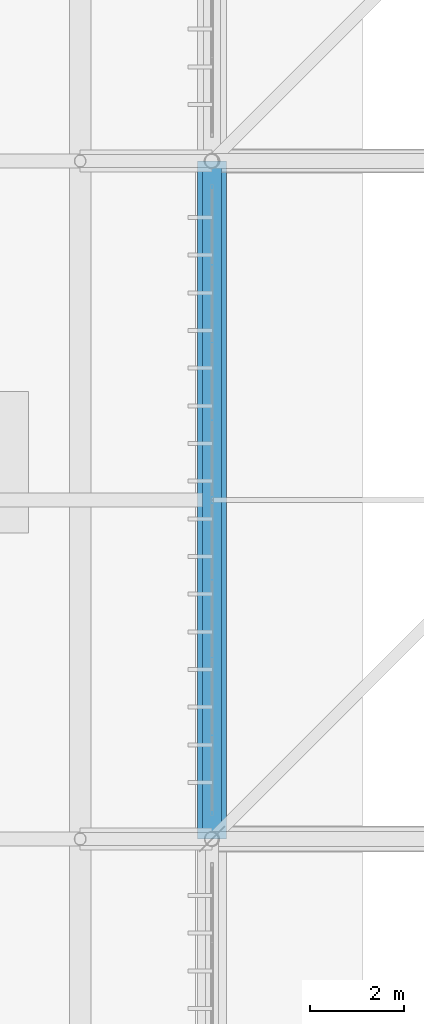
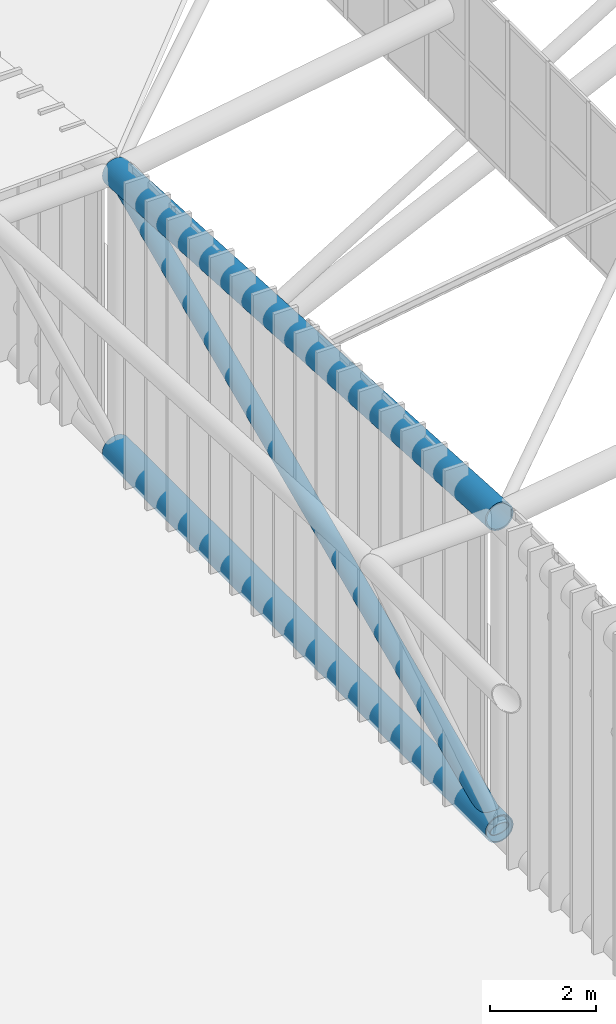
# One storey, part 178 of 397: 2 beams, 1 member.
"""IFC4 building model written with IfcOpenShell, lengths in metres."""

from ifc_helpers import new_model, si_unit, direction, frame, origin, origin_2d, place, context, subcontext, project, spatial, hollow_circle, extrude, material, material_profile, profile_set, type_object, element, save


model = new_model("IFC4")

# Units and contexts
model_context = context("Model", 3, precision=1e-05, world=origin(), true_north=direction((0.0, 1.0)))
body_context = subcontext(model_context, "Body", "Model", "MODEL_VIEW")
ifc_project = project(units=[si_unit("LENGTHUNIT", "METRE"), si_unit("AREAUNIT", "SQUARE_METRE"), si_unit("VOLUMEUNIT", "CUBIC_METRE"), si_unit("PLANEANGLEUNIT", "RADIAN"), si_unit("MASSUNIT", "GRAM", prefix="KILO")], contexts=[model_context])

# Site, building, storey
site_placement = place(None, origin())
site = spatial("IfcSite", under=ifc_project, at=site_placement, CompositionType="ELEMENT")
building_placement = place(site_placement, origin())
building = spatial("IfcBuilding", under=site, at=building_placement, Name="Qandorah Velis Arena", CompositionType="ELEMENT")
storey_placement = place(building_placement, frame((0.0, 0.0, 27.5)))
storey = spatial("IfcBuildingStorey", under=building, at=storey_placement, Name="RF", CompositionType="ELEMENT", Elevation=27.5)

# Beams
ifc_material_1 = material(Name="Steel S460", Category="steel")
ifc_material_profile_1 = material_profile(ifc_material_1, hollow_circle(Radius=0.304931640625, WallThickness=0.02490234375, at=origin_2d()), Name="CHS 610x25")
ifc_profile_set_1 = profile_set([ifc_material_profile_1], Name="Steel S460")
beam_type_1 = type_object("IfcBeamType", Name="STR-SFC-CHS610X25", PredefinedType="USERDEFINED", material=ifc_profile_set_1)
beam_1_placement = place(storey_placement, frame((14.39990234375, 72.0, 0.10009765625), z_axis=(0.0, 1.0, 0.0), x_axis=(-1.0, 0.0, 0.0)))
element("IfcBeam", 1, at=beam_1_placement, inside=storey, type_object=beam_type_1, Name="Space frame roof truss bottom chord Y 0.4", ObjectType="ROOF TRUSS", PredefinedType="USERDEFINED", context=body_context, shape_type="SweptSolid", body=[
    extrude(hollow_circle(Radius=0.304931640625, WallThickness=0.02490234375, at=origin_2d()), origin(), (0.0, 0.0, 1.0), 14.39990234375),
])
ifc_material_profile_2 = material_profile(ifc_material_1, hollow_circle(Radius=0.304931640625, WallThickness=0.031982421875, at=origin_2d()), Name="CHS 610x32")
ifc_profile_set_2 = profile_set([ifc_material_profile_2], Name="Steel S460")
beam_type_2 = type_object("IfcBeamType", Name="STR-SFC-CHS610X32", PredefinedType="USERDEFINED", material=ifc_profile_set_2)
beam_2_placement = place(storey_placement, frame((14.39990234375, 72.0, 7.2705078125), z_axis=(0.0, 0.998374610702, -0.056992426744), x_axis=(-1.0, 0.0, 0.0)))
element("IfcBeam", 2, at=beam_2_placement, inside=storey, type_object=beam_type_2, Name="Space frame roof truss top chord Y 0.4", ObjectType="ROOF TRUSS", PredefinedType="USERDEFINED", context=body_context, shape_type="SweptSolid", body=[
    extrude(hollow_circle(Radius=0.304931640625, WallThickness=0.031982421875, at=origin_2d()), origin(), (0.0, 0.0, 1.0), 14.42333984375),
])

# Member
ifc_material_2 = material(Name="Steel S355", Category="steel")
ifc_material_profile_3 = material_profile(ifc_material_2, hollow_circle(Radius=0.203125, WallThickness=0.01611328125, at=origin_2d()), Name="CHS 406.4x16")
ifc_profile_set_3 = profile_set([ifc_material_profile_3], Name="Steel S355")
member_type = type_object("IfcMemberType", Name="STR-SFD-CHS406X16", PredefinedType="STRUT", material=ifc_profile_set_3)
member_placement = place(storey_placement, frame((14.39990234375, 72.0, 0.10009765625), z_axis=(0.0, 0.915023590683, 0.403400332788), x_axis=(-1.0, 0.0, 0.0)))
element("IfcMember", 3, at=member_placement, inside=storey, type_object=member_type, Name="Space frame roof diagonal Y 0.4", PredefinedType="STRUT", context=body_context, shape_type="SweptSolid", body=[
    extrude(hollow_circle(Radius=0.203125, WallThickness=0.01611328125, at=origin_2d()), origin(), (0.0, 0.0, 1.0), 15.7373046875),
])

save(model, "model.ifc")
